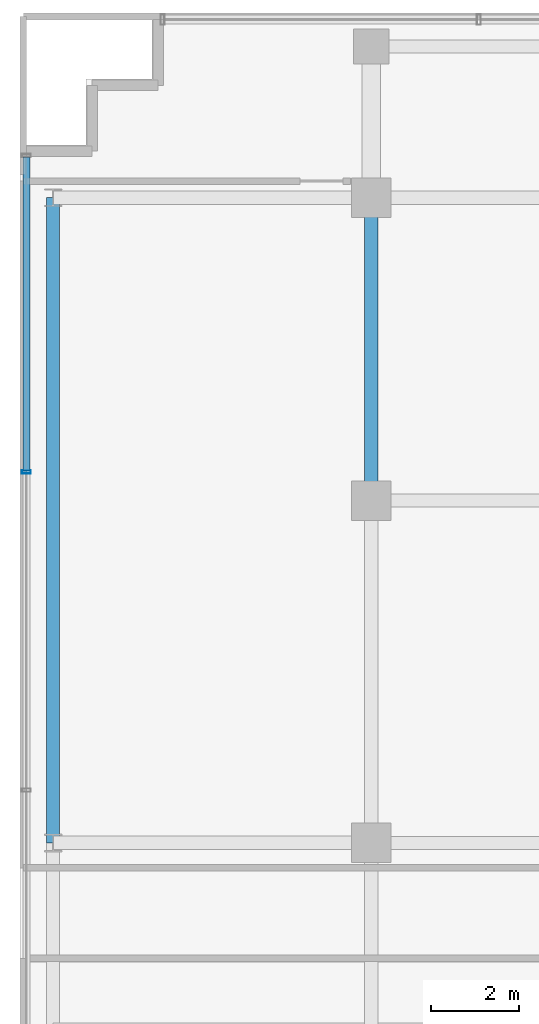
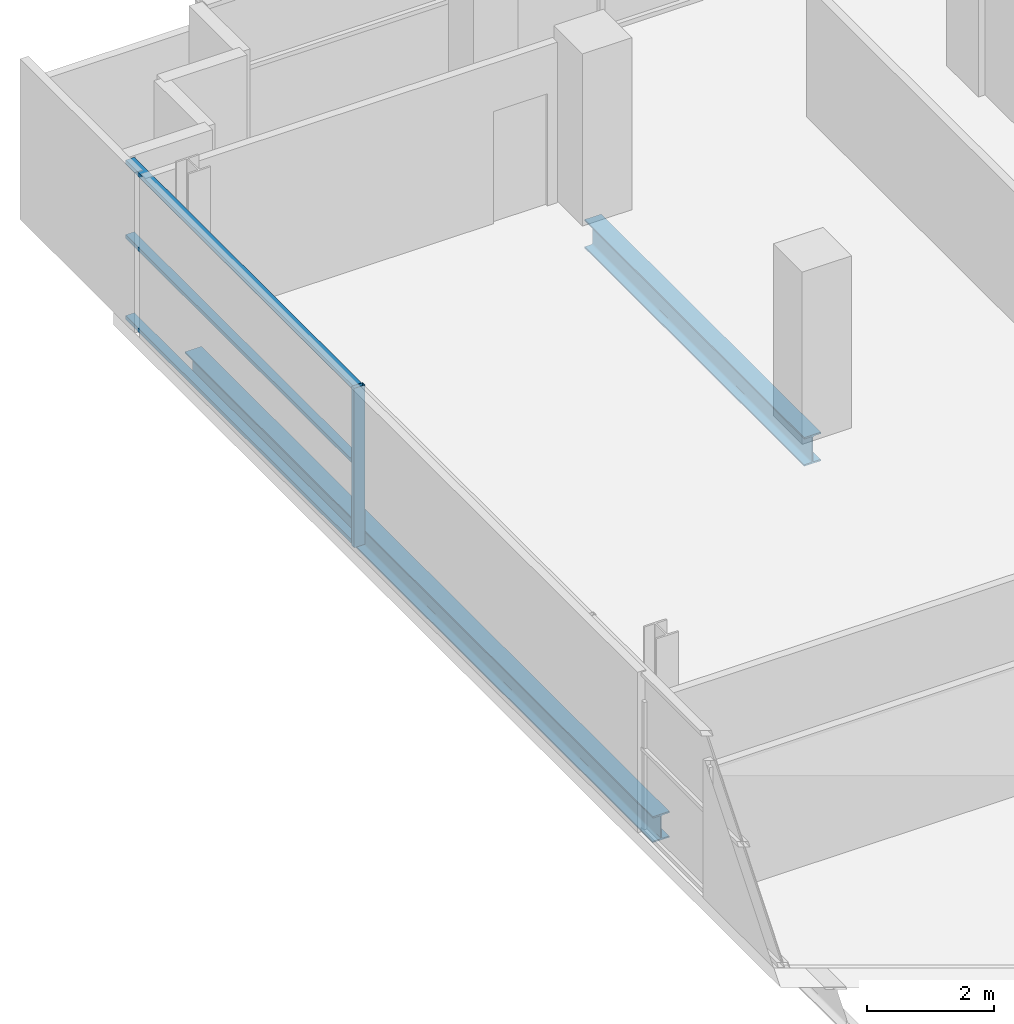
# One storey, part 9 of 27: 4 members, 2 beams, 1 element without a shape of its own.
"""IFC4 building model written with IfcOpenShell, lengths in metres."""

import ifcopenshell
import ifcopenshell.guid

model = None  # the IFC model being written
_history = None  # IfcOwnerHistory: only IFC2X3 demands one
_inside = {}  # id of a spatial element -> (the spatial element, [elements in it])
_under = {}  # id of a project, library or spatial element -> (it, [spatial elements below it])
_declared = {}  # id of a project -> (the project, [libraries it declares])
_typed = {}  # id of a type object -> (the type object, [elements of that type])
_made_of = {}  # id of a material, layer set ... -> (it, [elements and type objects made of it])


def new_model(schema):
    """Start an empty IFC model of exactly this schema.

    Asked for "IFC4X3", IfcOpenShell would pick the latest addendum, in which some entities
    have other attributes; the version numbers below select the first issue.
    IFC2X3 requires an IfcOwnerHistory on every rooted entity: one is made here for all.
    """
    global model, _history
    if schema == "IFC4X3":
        model = ifcopenshell.file(schema_version=(4, 3, 0, 0))
    else:
        model = ifcopenshell.file(schema=schema)
    _inside.clear()
    _under.clear()
    _declared.clear()
    _typed.clear()
    _made_of.clear()
    _history = None
    if model.schema == "IFC2X3":
        org = make("IfcOrganization", Name="unknown")
        user = make(
            "IfcPersonAndOrganization",
            ThePerson=make("IfcPerson", FamilyName="unknown"),
            TheOrganization=org,
        )
        app = make(
            "IfcApplication",
            ApplicationDeveloper=org,
            Version="unknown",
            ApplicationFullName="unknown",
            ApplicationIdentifier="unknown",
        )
        _history = make(
            "IfcOwnerHistory",
            OwningUser=user,
            OwningApplication=app,
            ChangeAction="ADDED",
            CreationDate=0,
        )
    return model


def make(cls, **values):
    """One entity of the class cls with the attributes given. An attribute that is None is left unset."""
    return model.create_entity(
        cls, **{name: value for name, value in values.items() if value is not None}
    )


def rooted(cls, **values):
    """An entity with a GlobalId (a new one), such as an element, a storey or a relation."""
    return make(cls, GlobalId=ifcopenshell.guid.new(), OwnerHistory=_history, **values)


def si_unit(unit_type, name, prefix=None):
    """IfcSIUnit, for example si_unit("LENGTHUNIT", "METRE", prefix="MILLI")."""
    return make("IfcSIUnit", UnitType=unit_type, Prefix=prefix, Name=name)


def assignment(units):
    """IfcUnitAssignment: the units of a project."""
    return None if units is None else make("IfcUnitAssignment", Units=units)


def point(xyz):
    """IfcCartesianPoint."""
    return None if xyz is None else make("IfcCartesianPoint", Coordinates=xyz)


def direction(xyz):
    """IfcDirection."""
    return None if xyz is None else make("IfcDirection", DirectionRatios=xyz)


def frame(location, z_axis=None, x_axis=None):
    """IfcAxis2Placement3D, a coordinate frame: its origin and axes. An axis left out is left unset."""
    return make(
        "IfcAxis2Placement3D",
        Location=point(location),
        Axis=direction(z_axis),
        RefDirection=direction(x_axis),
    )


def frame_2d(location, x_axis=None):
    """IfcAxis2Placement2D, a coordinate frame in the plane: its origin and x axis."""
    return make(
        "IfcAxis2Placement2D", Location=point(location), RefDirection=direction(x_axis)
    )


def origin():
    """The frame at (0, 0, 0) with its axes left unset."""
    return frame((0.0, 0.0, 0.0))


def origin_2d():
    """The frame at (0, 0) in the plane with its x axis left unset."""
    return frame_2d((0.0, 0.0))


def place(relative_to, where):
    """IfcLocalPlacement: puts the frame where relative to a parent placement (None: the world)."""
    return make(
        "IfcLocalPlacement", PlacementRelTo=relative_to, RelativePlacement=where
    )


def context(
    kind, dimensions, precision=None, world=None, true_north=None, identifier=None
):
    """IfcGeometricRepresentationContext, for example the 3D "Model" context."""
    return make(
        "IfcGeometricRepresentationContext",
        ContextIdentifier=identifier,
        ContextType=kind,
        CoordinateSpaceDimension=dimensions,
        Precision=precision,
        WorldCoordinateSystem=world,
        TrueNorth=true_north,
    )


def subcontext(parent, identifier, kind, view, scale=None):
    """IfcGeometricRepresentationSubContext, for example "Body" below "Model"."""
    return make(
        "IfcGeometricRepresentationSubContext",
        ContextIdentifier=identifier,
        ContextType=kind,
        ParentContext=parent,
        TargetScale=scale,
        TargetView=view,
    )


def project(units=None, contexts=None):
    """IfcProject with its units and contexts."""
    return rooted(
        "IfcProject",
        Name="project",
        RepresentationContexts=contexts,
        UnitsInContext=assignment(units),
    )


def spatial(cls, under=None, at=None, **own):
    """A site, building, storey or space (cls), placed at a placement, below another one or the project."""
    s = rooted(cls, ObjectPlacement=at, **own)
    if under is not None:
        _under.setdefault(under.id(), (under, []))[1].append(s)
    return s


def profile(cls, at=None, kind="AREA", **sizes):
    """A parametric profile (cls). Its sizes go by their IFC names, for example OverallWidth=200.0."""
    return make(cls, ProfileType=kind, Position=at, **sizes)


def hollow_rectangle(**sizes):
    """IfcRectangleHollowProfileDef."""
    return profile("IfcRectangleHollowProfileDef", **sizes)


def i_section(**sizes):
    """IfcIShapeProfileDef."""
    return profile("IfcIShapeProfileDef", **sizes)


def extrude(swept, where, along, depth):
    """IfcExtrudedAreaSolid: the profile swept, set in the frame where, extruded along a direction by depth."""
    return make(
        "IfcExtrudedAreaSolid",
        SweptArea=swept,
        Position=where,
        ExtrudedDirection=direction(along),
        Depth=depth,
    )


def shape(context_of_items, identifier, shape_type, items):
    """IfcShapeRepresentation: the items that make up one representation, for example the "Body"."""
    return make(
        "IfcShapeRepresentation",
        ContextOfItems=context_of_items,
        RepresentationIdentifier=identifier,
        RepresentationType=shape_type,
        Items=items,
    )


def source(mapping_origin, context_of_items, identifier, shape_type, items):
    """IfcRepresentationMap: a shape defined once, which mapped items show again and again."""
    return make(
        "IfcRepresentationMap",
        MappingOrigin=mapping_origin,
        MappedRepresentation=shape(context_of_items, identifier, shape_type, items),
    )


def transform(
    local_origin,
    x_axis=None,
    y_axis=None,
    z_axis=None,
    scale=None,
    scale2=None,
    scale3=None,
    uniform=True,
):
    """IfcCartesianTransformationOperator3D, or its non-uniform kind. x_axis, y_axis, z_axis: its Axis1, 2, 3."""
    if uniform:
        return make(
            "IfcCartesianTransformationOperator3D",
            Axis1=direction(x_axis),
            Axis2=direction(y_axis),
            LocalOrigin=point(local_origin),
            Scale=scale,
            Axis3=direction(z_axis),
        )
    return make(
        "IfcCartesianTransformationOperator3DnonUniform",
        Axis1=direction(x_axis),
        Axis2=direction(y_axis),
        LocalOrigin=point(local_origin),
        Scale=scale,
        Axis3=direction(z_axis),
        Scale2=scale2,
        Scale3=scale3,
    )


def mapped(mapping_source, mapping_target):
    """IfcMappedItem: shows the shape of a source again, moved by a transform."""
    return make(
        "IfcMappedItem", MappingSource=mapping_source, MappingTarget=mapping_target
    )


def material(Name=None, Category=None):
    """IfcMaterial."""
    return make("IfcMaterial", Name=Name, Category=Category)


def layer(
    of_material, thickness, ventilated=None, Name=None, Category=None, Priority=None
):
    """IfcMaterialLayer: one layer of a wall or slab, of a material (None: an air gap)."""
    return make(
        "IfcMaterialLayer",
        Material=of_material,
        LayerThickness=thickness,
        IsVentilated=ventilated,
        Name=Name,
        Category=Category,
        Priority=Priority,
    )


def layer_set(layers, Name=None):
    """IfcMaterialLayerSet."""
    return make("IfcMaterialLayerSet", MaterialLayers=layers, LayerSetName=Name)


def material_profile(
    of_material, cross_section, Name=None, Category=None, Priority=None
):
    """IfcMaterialProfile: a cross section and its material."""
    return make(
        "IfcMaterialProfile",
        Name=Name,
        Material=of_material,
        Profile=cross_section,
        Priority=Priority,
        Category=Category,
    )


def profile_set(profiles, Name=None, composite=None):
    """IfcMaterialProfileSet."""
    return make(
        "IfcMaterialProfileSet",
        Name=Name,
        MaterialProfiles=profiles,
        CompositeProfile=composite,
    )


def made_of(thing, what):
    """Note that an element or type object is made of a material, layer set ...; save() writes the relation."""
    if what is not None:
        _made_of.setdefault(what.id(), (what, []))[1].append(thing)
    return thing


def type_object(cls, material=None, **own):
    """A type object (cls), such as IfcWallType, which elements share."""
    return made_of(rooted(cls, **own), material)


def element(
    cls,
    number,
    at=None,
    inside=None,
    cuts=None,
    type_object=None,
    material=None,
    context=None,
    identifier="Body",
    shape_type=None,
    held_by="IfcProductDefinitionShape",
    body=None,
    shapes=None,
    **own,
):
    """One element of the class cls, such as IfcWall. Its Tag is "e" and its number.

    at: its placement. inside: the storey or other place that contains it. cuts: it is an
    opening in that element (IfcRelVoidsElement). A single representation is given by context,
    identifier, shape_type and body (its items); several are given by shapes. held_by: the class
    of the entity that holds the representations. save() writes the other relations.
    """
    e = rooted(cls, Tag="e%d" % number, ObjectPlacement=at, **own)
    if body is not None:
        shapes = [shape(context, identifier, shape_type, body)]
    if shapes is not None:
        e.Representation = make(held_by, Representations=shapes)
    if inside is not None:
        _inside.setdefault(inside.id(), (inside, []))[1].append(e)
    if cuts is not None:
        rooted(
            "IfcRelVoidsElement", RelatingBuildingElement=cuts, RelatedOpeningElement=e
        )
    if type_object is not None:
        _typed.setdefault(type_object.id(), (type_object, []))[1].append(e)
    return made_of(e, material)


def aggregate(whole, parts):
    """IfcRelAggregates: a whole, such as a stair, and the parts it consists of."""
    return rooted("IfcRelAggregates", RelatingObject=whole, RelatedObjects=parts)


def save(model, path):
    """Write the relations noted so far, then the file.

    IfcRelAggregates (storeys below a building ...), IfcRelContainedInSpatialStructure (elements
    in a storey), IfcRelDefinesByType, IfcRelAssociatesMaterial and IfcRelDeclares: one each for
    every whole, place, type object, material and project.
    """
    for whole, parts in _under.values():
        aggregate(whole, parts)
    for where, things in _inside.values():
        rooted(
            "IfcRelContainedInSpatialStructure",
            RelatedElements=things,
            RelatingStructure=where,
        )
    for kind, things in _typed.values():
        rooted("IfcRelDefinesByType", RelatedObjects=things, RelatingType=kind)
    for what, things in _made_of.values():
        rooted("IfcRelAssociatesMaterial", RelatedObjects=things, RelatingMaterial=what)
    for by, libraries in _declared.values():
        rooted("IfcRelDeclares", RelatingContext=by, RelatedDefinitions=libraries)
    model.write(path)


model = new_model("IFC4")

# Units and contexts
model_context = context("Model", 3, precision=1e-05, world=origin(), true_north=direction((0.0, 1.0)))
body_context = subcontext(model_context, "Body", "Model", "MODEL_VIEW")
ifc_project = project(units=[si_unit("LENGTHUNIT", "METRE"), si_unit("AREAUNIT", "SQUARE_METRE"), si_unit("VOLUMEUNIT", "CUBIC_METRE"), si_unit("PLANEANGLEUNIT", "RADIAN"), si_unit("MASSUNIT", "GRAM", prefix="KILO")], contexts=[model_context])

# Site, building, storey
site_placement = place(None, origin())
site = spatial("IfcSite", under=ifc_project, at=site_placement, CompositionType="ELEMENT")
building_placement = place(site_placement, origin())
building = spatial("IfcBuilding", under=site, at=building_placement, Name="Zarnakvel Exchange Tower", CompositionType="ELEMENT")
storey_placement = place(building_placement, frame((0.0, 0.0, 86.800048828125)))
storey = spatial("IfcBuildingStorey", under=building, at=storey_placement, Name="L23", CompositionType="ELEMENT", Elevation=86.800048828125)

# Beams
ifc_material_1 = material(Name="Steel S355", Category="steel")
ifc_material_profile_1 = material_profile(ifc_material_1, i_section(OverallWidth=0.300048828125, OverallDepth=0.550048828125, WebThickness=0.014892578125, FlangeThickness=0.029052734375, FilletRadius=0.027099609375, at=origin_2d()))
ifc_profile_set_1 = profile_set([ifc_material_profile_1], Name="Steel S355")
beam_type_1 = type_object("IfcBeamType", Name="G-05", PredefinedType="BEAM", material=ifc_profile_set_1)
beam_1_placement = place(storey_placement, frame((-21.60009765625, 6.60009765625, -0.525146484375), z_axis=(0.0, 1.0, 0.0), x_axis=(-1.0, 0.0, 0.0)))
element("IfcBeam", 1, at=beam_1_placement, inside=storey, type_object=beam_type_1, Name="L23 Tower N-S Frame Beam", PredefinedType="BEAM", context=body_context, shape_type="SweptSolid", body=[
    extrude(i_section(OverallWidth=0.300048828125, OverallDepth=0.550048828125, WebThickness=0.014892578125, FlangeThickness=0.029052734375, FilletRadius=0.027099609375, at=origin_2d()), origin(), (0.0, 0.0, 1.0), 6.89990234375),
])
ifc_material_profile_2 = material_profile(ifc_material_1, i_section(OverallWidth=0.300048828125, OverallDepth=0.5, WebThickness=0.014404296875, FlangeThickness=0.028076171875, FilletRadius=0.027099609375, at=origin_2d()))
ifc_profile_set_2 = profile_set([ifc_material_profile_2], Name="Steel S355")
beam_type_2 = type_object("IfcBeamType", Name="SP-02", PredefinedType="SPANDREL", material=ifc_profile_set_2)
beam_2_placement = place(storey_placement, frame((-28.85009765625, -1.199951171875, -0.5), z_axis=(0.0, 1.0, 0.0), x_axis=(-1.0, 0.0, 0.0)))
element("IfcBeam", 2, at=beam_2_placement, inside=storey, type_object=beam_type_2, Name="L23 Tower N-S Frame Beam", PredefinedType="SPANDREL", context=body_context, shape_type="SweptSolid", body=[
    extrude(i_section(OverallWidth=0.300048828125, OverallDepth=0.5, WebThickness=0.014404296875, FlangeThickness=0.028076171875, FilletRadius=0.027099609375, at=origin_2d()), origin(), (0.0, 0.0, 1.0), 14.699951171875),
])

# Curtain wall, members
ifc_material_2 = material(Name="Architectural Bronze Anodised Aluminium", Category="aluminium")
ifc_layer = layer(ifc_material_2, 0.199951171875)
ifc_layer_set = layer_set([ifc_layer], Name="Architectural Bronze Anodised Aluminium")
curtain_wall_type = type_object("IfcCurtainWallType", Name="CW-04", PredefinedType="NOTDEFINED", material=ifc_layer_set)
curtain_wall_placement = place(storey_placement, origin())
curtain_wall = element("IfcCurtainWall", 3, at=curtain_wall_placement, inside=storey, type_object=curtain_wall_type, Name="L23 Curtain Wall CW-L23-W1 (CW-04)", PredefinedType="NOTDEFINED")
ifc_material_profile_3 = material_profile(ifc_material_2, hollow_rectangle(XDim=0.199951171875, YDim=0.074951171875, WallThickness=0.0048828125, at=origin_2d()))
ifc_profile_set_3 = profile_set([ifc_material_profile_3], Name="Architectural Bronze Anodised Aluminium")
member_type_1 = type_object("IfcMemberType", Name="CWM-04", PredefinedType="MULLION", material=ifc_profile_set_3)
shared_shape_1 = source(origin(), body_context, "Body", "SweptSolid", [
    extrude(hollow_rectangle(XDim=0.199951171875, YDim=0.074951171875, WallThickness=0.0048828125, at=origin_2d()), origin(), (0.0, 0.0, 1.0), 3.054931640625),
])
member_1_placement = place(storey_placement, frame((-29.4599609375, 7.25, 0.0), z_axis=(0.0, 0.0, 1.0), x_axis=(-1.0, 0.0, 0.0)))
member_1 = element("IfcMember", 4, at=member_1_placement, type_object=member_type_1, Name="CW-04 mullion 4", PredefinedType="MULLION", context=body_context, shape_type="MappedRepresentation", body=[
    mapped(shared_shape_1, transform((0.0, 0.0, 0.0), x_axis=(1.0, 0.0, 0.0), y_axis=(0.0, 1.0, 0.0), z_axis=(0.0, 0.0, 1.0), scale=1.0)),
])
ifc_material_profile_4 = material_profile(ifc_material_2, hollow_rectangle(XDim=0.159912109375, YDim=0.074951171875, WallThickness=0.00390625, at=origin_2d()))
ifc_profile_set_4 = profile_set([ifc_material_profile_4], Name="Architectural Bronze Anodised Aluminium")
member_type_2 = type_object("IfcMemberType", Name="CWT-04", PredefinedType="USERDEFINED", material=ifc_profile_set_4)
shared_shape_2 = source(origin(), body_context, "Body", "SweptSolid", [
    extrude(hollow_rectangle(XDim=0.159912109375, YDim=0.074951171875, WallThickness=0.00390625, at=origin_2d()), origin(), (0.0, 0.0, 1.0), 7.137451171875),
])
member_2_placement = place(storey_placement, frame((-29.4599609375, 7.28759765625, 0.037353515625), z_axis=(0.0, 1.0, 0.0), x_axis=(-1.0, 0.0, 0.0)))
member_2 = element("IfcMember", 5, at=member_2_placement, type_object=member_type_2, Name="CW-04 transom 4.1", ObjectType="TRANSOM", PredefinedType="USERDEFINED", context=body_context, shape_type="MappedRepresentation", body=[
    mapped(shared_shape_2, transform((0.0, 0.0, 0.0), x_axis=(1.0, 0.0, 0.0), y_axis=(0.0, 1.0, 0.0), z_axis=(0.0, 0.0, 1.0), scale=1.0)),
])
member_3_placement = place(storey_placement, frame((-29.4599609375, 7.28759765625, 1.588623046875), z_axis=(0.0, 1.0, 0.0), x_axis=(-1.0, 0.0, 0.0)))
member_3 = element("IfcMember", 6, at=member_3_placement, type_object=member_type_2, Name="CW-04 transom 4.2", ObjectType="TRANSOM", PredefinedType="USERDEFINED", context=body_context, shape_type="MappedRepresentation", body=[
    mapped(shared_shape_2, transform((0.0, 0.0, 0.0), x_axis=(1.0, 0.0, 0.0), y_axis=(0.0, 1.0, 0.0), z_axis=(0.0, 0.0, 1.0), scale=1.0)),
])
member_4_placement = place(storey_placement, frame((-29.4599609375, 7.28759765625, 3.017333984375), z_axis=(0.0, 1.0, 0.0), x_axis=(-1.0, 0.0, 0.0)))
member_4 = element("IfcMember", 7, at=member_4_placement, type_object=member_type_2, Name="CW-04 transom 4.3", ObjectType="TRANSOM", PredefinedType="USERDEFINED", context=body_context, shape_type="MappedRepresentation", body=[
    mapped(shared_shape_2, transform((0.0, 0.0, 0.0), x_axis=(1.0, 0.0, 0.0), y_axis=(0.0, 1.0, 0.0), z_axis=(0.0, 0.0, 1.0), scale=1.0)),
])
aggregate(curtain_wall, [member_1, member_2, member_3, member_4])

save(model, "model.ifc")
